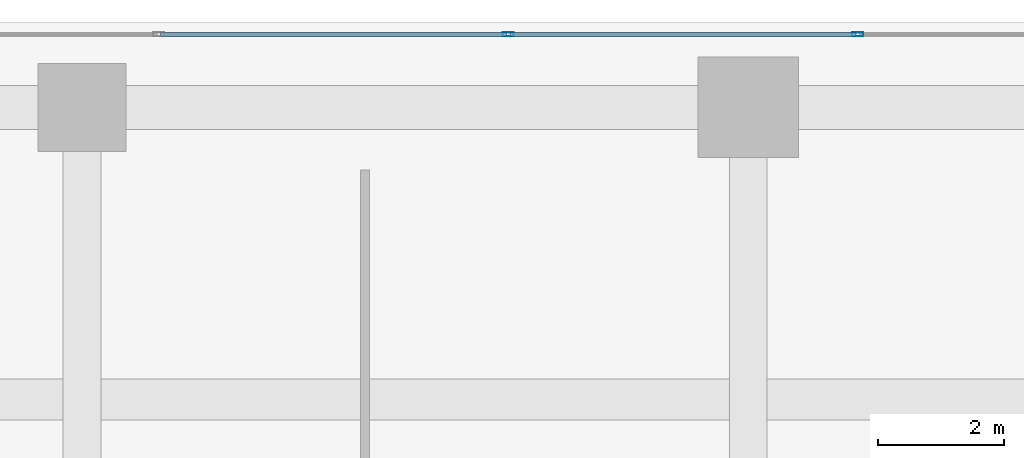
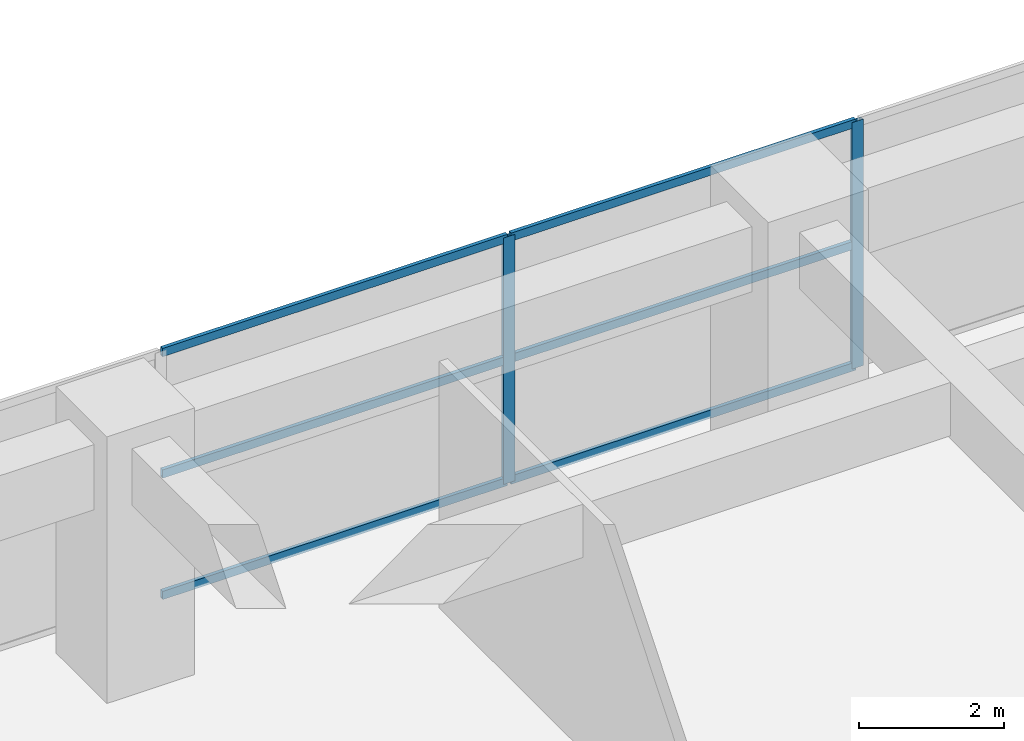
# One storey, part 20 of 39: 8 members, 1 element without a shape of its own.
"""IFC4 building model written with IfcOpenShell, lengths in metres."""

from ifc_helpers import new_model, si_unit, direction, frame, origin, origin_2d, place, context, subcontext, project, spatial, hollow_rectangle, extrude, source, transform, mapped, material, layer, layer_set, material_profile, profile_set, type_object, element, aggregate, save


model = new_model("IFC4")

# Units and contexts
model_context = context("Model", 3, precision=1e-05, world=origin(), true_north=direction((0.0, 1.0)))
body_context = subcontext(model_context, "Body", "Model", "MODEL_VIEW")
ifc_project = project(units=[si_unit("LENGTHUNIT", "METRE"), si_unit("AREAUNIT", "SQUARE_METRE"), si_unit("VOLUMEUNIT", "CUBIC_METRE"), si_unit("PLANEANGLEUNIT", "RADIAN"), si_unit("MASSUNIT", "GRAM", prefix="KILO")], contexts=[model_context])

# Site, building, storey
site_placement = place(None, origin())
site = spatial("IfcSite", under=ifc_project, at=site_placement, CompositionType="ELEMENT")
building_placement = place(site_placement, origin())
building = spatial("IfcBuilding", under=site, at=building_placement, Name="Khoralis Quay Care Tower", CompositionType="ELEMENT")
storey_placement = place(building_placement, origin())
storey = spatial("IfcBuildingStorey", under=building, at=storey_placement, Name="L00", CompositionType="ELEMENT", Elevation=0.0)

# Curtain wall, members
ifc_material = material(Name="Pale anodised aluminium", Category="aluminium")
ifc_layer = layer(ifc_material, 0.179931640625)
ifc_layer_set = layer_set([ifc_layer], Name="Pale anodised aluminium")
curtain_wall_type = type_object("IfcCurtainWallType", Name="CW-SYS-Z1", PredefinedType="NOTDEFINED", material=ifc_layer_set)
curtain_wall_placement = place(storey_placement, origin())
curtain_wall = element("IfcCurtainWall", 1, at=curtain_wall_placement, inside=storey, type_object=curtain_wall_type, Name="L00 Unitised Curtain Wall CW-POD-L00-E4", PredefinedType="NOTDEFINED")
ifc_material_profile_1 = material_profile(ifc_material, hollow_rectangle(XDim=0.06494140625, YDim=0.179931640625, WallThickness=0.00390625, at=origin_2d()), Name="Pale anodised aluminium")
ifc_profile_set_1 = profile_set([ifc_material_profile_1], Name="Pale anodised aluminium")
member_type_1 = type_object("IfcMemberType", Name="CW-MUL-180", PredefinedType="MULLION", material=ifc_profile_set_1)
shared_shape_1 = source(origin(), body_context, "Body", "SweptSolid", [
    extrude(hollow_rectangle(XDim=0.06494140625, YDim=0.179931640625, WallThickness=0.00390625, at=origin_2d()), origin(), (0.0, 0.0, 1.0), 4.159912109375),
])
member_1_placement = place(storey_placement, frame((36.343017578125, 47.81005859375, 0.0), z_axis=(0.0, 0.0, 1.0), x_axis=(0.0, -1.0, 0.0)))
member_1 = element("IfcMember", 2, at=member_1_placement, type_object=member_type_1, Name="CW1 mullion 2", PredefinedType="MULLION", context=body_context, shape_type="MappedRepresentation", body=[
    mapped(shared_shape_1, transform((0.0, 0.0, 0.0), scale=1.0)),
])
member_2_placement = place(storey_placement, frame((30.781005859375, 47.81005859375, 0.0), z_axis=(0.0, 0.0, 1.0), x_axis=(0.0, -1.0, 0.0)))
member_2 = element("IfcMember", 3, at=member_2_placement, type_object=member_type_1, Name="CW1 mullion 3", PredefinedType="MULLION", context=body_context, shape_type="MappedRepresentation", body=[
    mapped(shared_shape_1, transform((0.0, 0.0, 0.0), scale=1.0)),
])
ifc_material_profile_2 = material_profile(ifc_material, hollow_rectangle(XDim=0.06005859375, YDim=0.139892578125, WallThickness=0.00390625, at=origin_2d()), Name="Pale anodised aluminium")
ifc_profile_set_2 = profile_set([ifc_material_profile_2], Name="Pale anodised aluminium")
member_type_2 = type_object("IfcMemberType", Name="CW-TRN-140", PredefinedType="USERDEFINED", material=ifc_profile_set_2)
shared_shape_2 = source(origin(), body_context, "Body", "SweptSolid", [
    extrude(hollow_rectangle(XDim=0.06005859375, YDim=0.139892578125, WallThickness=0.00390625, at=origin_2d()), origin(), (0.0, 0.0, 1.0), 5.501953125),
])
member_3_placement = place(storey_placement, frame((36.31298828125, 47.81005859375, 0.030029296875), z_axis=(-1.0, 0.0, 0.0), x_axis=(0.0, -1.0, 0.0)))
member_3 = element("IfcMember", 4, at=member_3_placement, type_object=member_type_2, Name="CW1 transom 2.1", ObjectType="TRANSOM", PredefinedType="USERDEFINED", context=body_context, shape_type="MappedRepresentation", body=[
    mapped(shared_shape_2, transform((0.0, 0.0, 0.0), scale=1.0)),
])
member_4_placement = place(storey_placement, frame((36.31298828125, 47.81005859375, 2.080078125), z_axis=(-1.0, 0.0, 0.0), x_axis=(0.0, -1.0, 0.0)))
member_4 = element("IfcMember", 5, at=member_4_placement, type_object=member_type_2, Name="CW1 transom 2.2", ObjectType="TRANSOM", PredefinedType="USERDEFINED", context=body_context, shape_type="MappedRepresentation", body=[
    mapped(shared_shape_2, transform((0.0, 0.0, 0.0), scale=1.0)),
])
member_5_placement = place(storey_placement, frame((36.31298828125, 47.81005859375, 4.1298828125), z_axis=(-1.0, 0.0, 0.0), x_axis=(0.0, -1.0, 0.0)))
member_5 = element("IfcMember", 6, at=member_5_placement, type_object=member_type_2, Name="CW1 transom 2.3", ObjectType="TRANSOM", PredefinedType="USERDEFINED", context=body_context, shape_type="MappedRepresentation", body=[
    mapped(shared_shape_2, transform((0.0, 0.0, 0.0), scale=1.0)),
])
member_6_placement = place(storey_placement, frame((30.7509765625, 47.81005859375, 0.030029296875), z_axis=(-1.0, 0.0, 0.0), x_axis=(0.0, -1.0, 0.0)))
member_6 = element("IfcMember", 7, at=member_6_placement, type_object=member_type_2, Name="CW1 transom 3.1", ObjectType="TRANSOM", PredefinedType="USERDEFINED", context=body_context, shape_type="MappedRepresentation", body=[
    mapped(shared_shape_2, transform((0.0, 0.0, 0.0), scale=1.0)),
])
member_7_placement = place(storey_placement, frame((30.7509765625, 47.81005859375, 2.080078125), z_axis=(-1.0, 0.0, 0.0), x_axis=(0.0, -1.0, 0.0)))
member_7 = element("IfcMember", 8, at=member_7_placement, type_object=member_type_2, Name="CW1 transom 3.2", ObjectType="TRANSOM", PredefinedType="USERDEFINED", context=body_context, shape_type="MappedRepresentation", body=[
    mapped(shared_shape_2, transform((0.0, 0.0, 0.0), scale=1.0)),
])
member_8_placement = place(storey_placement, frame((30.7509765625, 47.81005859375, 4.1298828125), z_axis=(-1.0, 0.0, 0.0), x_axis=(0.0, -1.0, 0.0)))
member_8 = element("IfcMember", 9, at=member_8_placement, type_object=member_type_2, Name="CW1 transom 3.3", ObjectType="TRANSOM", PredefinedType="USERDEFINED", context=body_context, shape_type="MappedRepresentation", body=[
    mapped(shared_shape_2, transform((0.0, 0.0, 0.0), scale=1.0)),
])
aggregate(curtain_wall, [member_1, member_2, member_3, member_4, member_5, member_6, member_7, member_8])

save(model, "model.ifc")
